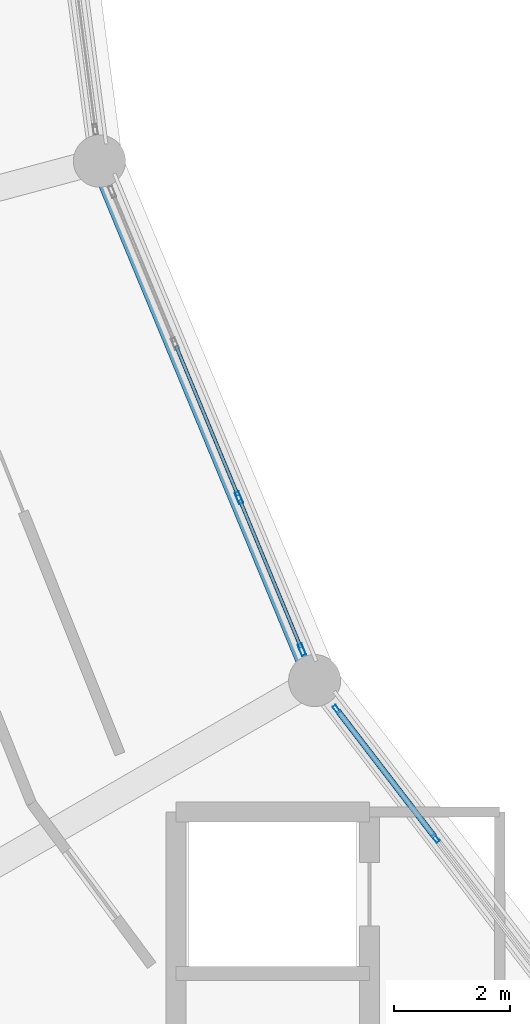
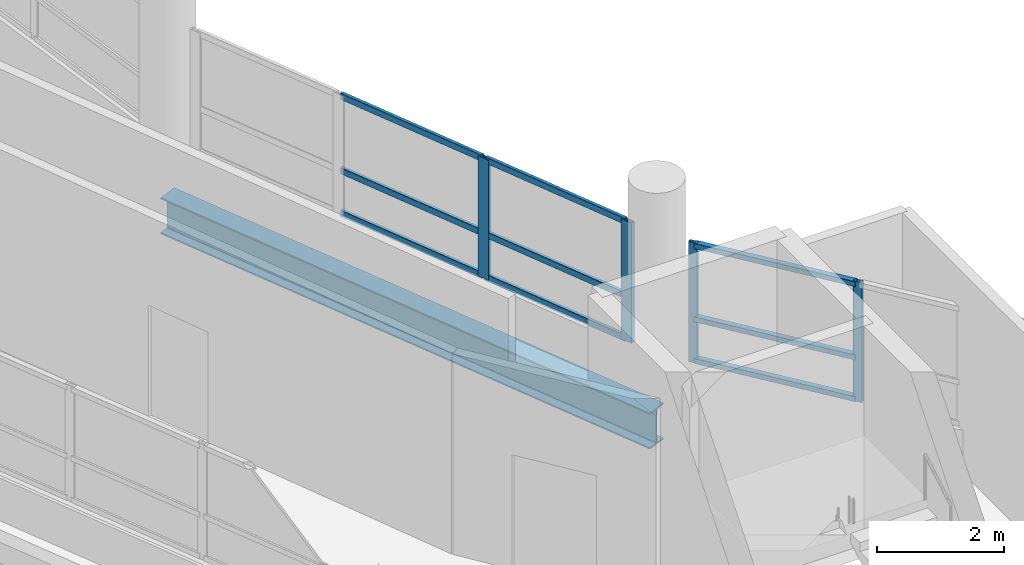
# One storey, part 33 of 128: 13 members, 1 beam, 2 elements without a shape of their own.
"""IFC4 building model written with IfcOpenShell, lengths in metres."""

from ifc_helpers import new_model, si_unit, direction, frame, origin, origin_2d, place, context, subcontext, project, spatial, hollow_rectangle, i_section, extrude, material, layer, layer_set, material_profile, profile_set, type_object, element, aggregate, save


model = new_model("IFC4")

# Units and contexts
model_context = context("Model", 3, precision=1e-05, world=origin(), true_north=direction((0.0, 1.0)))
body_context = subcontext(model_context, "Body", "Model", "MODEL_VIEW")
ifc_project = project(units=[si_unit("LENGTHUNIT", "METRE"), si_unit("AREAUNIT", "SQUARE_METRE"), si_unit("VOLUMEUNIT", "CUBIC_METRE"), si_unit("PLANEANGLEUNIT", "RADIAN"), si_unit("MASSUNIT", "GRAM", prefix="KILO")], contexts=[model_context])

# Site, building, storey
site_placement = place(None, origin())
site = spatial("IfcSite", under=ifc_project, at=site_placement, CompositionType="ELEMENT")
building_placement = place(site_placement, origin())
building = spatial("IfcBuilding", under=site, at=building_placement, Name="Vespera Passage Community Centre", CompositionType="ELEMENT")
storey_placement = place(building_placement, frame((0.0, 0.0, 4.5)))
storey = spatial("IfcBuildingStorey", under=building, at=storey_placement, Name="L01", CompositionType="ELEMENT", Elevation=4.5)

# Beam
ifc_material_1 = material(Name="Steel ASTM A992 Grade 50", Category="steel")
ifc_material_profile_1 = material_profile(ifc_material_1, i_section(OverallWidth=0.3544921875, OverallDepth=0.695556640625, WebThickness=0.015380859375, FlangeThickness=0.024658203125, FilletRadius=0.01513671875, at=origin_2d()), Name="W27X146")
ifc_profile_set_1 = profile_set([ifc_material_profile_1], Name="Steel ASTM A992 Grade 50")
beam_type = type_object("IfcBeamType", Name="BM-SP-W27X146E", PredefinedType="SPANDREL", material=ifc_profile_set_1)
beam_placement = place(storey_placement, frame((42.067626953125, 55.871826171875, -0.587890625), z_axis=(0.382684844258, -0.923878947685, 0.0), x_axis=(0.923878947685, 0.382684844258, 0.0)))
element("IfcBeam", 1, at=beam_placement, inside=storey, type_object=beam_type, Name="V4 L01 Inner Spandrel 13", PredefinedType="SPANDREL", context=body_context, shape_type="SweptSolid", body=[
    extrude(i_section(OverallWidth=0.3544921875, OverallDepth=0.695556640625, WebThickness=0.015380859375, FlangeThickness=0.024658203125, FilletRadius=0.01513671875, at=origin_2d()), origin(), (0.0, 0.0, 1.0), 9.711181640625),
])

# Curtain wall, members
ifc_material_2 = material(Name="Anodized aluminium 6063-T6", Category="aluminium")
ifc_layer_1 = layer(ifc_material_2, 0.159912109375)
ifc_layer_set_1 = layer_set([ifc_layer_1], Name="Anodized aluminium 6063-T6")
curtain_wall_type_1 = type_object("IfcCurtainWallType", Name="CW-17E", PredefinedType="NOTDEFINED", material=ifc_layer_set_1)
curtain_wall_1_placement = place(storey_placement, origin())
curtain_wall_1 = element("IfcCurtainWall", 2, at=curtain_wall_1_placement, inside=storey, type_object=curtain_wall_type_1, Name="V4 L01 Inner Court Curtain Wall 14", PredefinedType="NOTDEFINED")
ifc_material_3 = material(Name="Anodized aluminium 6063-T6", Category="aluminium")
ifc_material_profile_2 = material_profile(ifc_material_3, hollow_rectangle(XDim=0.06494140625, YDim=0.14990234375, WallThickness=0.00390625, InnerFilletRadius=0.001953125, OuterFilletRadius=0.00390625, at=origin_2d()), Name="ALU150X65X4")
ifc_profile_set_2 = profile_set([ifc_material_profile_2], Name="Anodized aluminium 6063-T6")
member_type_1 = type_object("IfcMemberType", Name="MB-CWM-150E", PredefinedType="MULLION", material=ifc_profile_set_2)
member_1_placement = place(storey_placement, frame((46.164794921875, 46.403564453125, 0.820068359375), z_axis=(0.0, 0.0, 1.0), x_axis=(0.793358205999, 0.608755087843, 0.0)))
member_1 = element("IfcMember", 3, at=member_1_placement, type_object=member_type_1, Name="CW-17E mullion 1", PredefinedType="MULLION", context=body_context, shape_type="SweptSolid", body=[
    extrude(hollow_rectangle(XDim=0.06494140625, YDim=0.14990234375, WallThickness=0.00390625, InnerFilletRadius=0.001953125, OuterFilletRadius=0.00390625, at=origin_2d()), origin(), (0.0, 0.0, 1.0), 2.309326171875),
])
member_2_placement = place(storey_placement, frame((47.874755859375, 44.175048828125, 0.820068359375), z_axis=(0.0, 0.0, 1.0), x_axis=(0.793358205999, 0.608755087843, 0.0)))
member_2 = element("IfcMember", 4, at=member_2_placement, type_object=member_type_1, Name="CW-17E mullion 2", PredefinedType="MULLION", context=body_context, shape_type="SweptSolid", body=[
    extrude(hollow_rectangle(XDim=0.06494140625, YDim=0.14990234375, WallThickness=0.00390625, InnerFilletRadius=0.001953125, OuterFilletRadius=0.00390625, at=origin_2d()), origin(), (0.0, 0.0, 1.0), 2.309326171875),
])

ifc_material_4 = material(Name="Anodized aluminium 6063-T6", Category="aluminium")
ifc_layer_2 = layer(ifc_material_4, 0.159912109375)
ifc_layer_set_2 = layer_set([ifc_layer_2], Name="Anodized aluminium 6063-T6")
curtain_wall_type_2 = type_object("IfcCurtainWallType", Name="CW-12E", PredefinedType="NOTDEFINED", material=ifc_layer_set_2)
curtain_wall_2_placement = place(storey_placement, origin())
curtain_wall_2 = element("IfcCurtainWall", 5, at=curtain_wall_2_placement, inside=storey, type_object=curtain_wall_type_2, Name="V4 L01 Inner Court Curtain Wall 13", PredefinedType="NOTDEFINED")
ifc_material_5 = material(Name="Anodized aluminium 6063-T6", Category="aluminium")
ifc_material_profile_3 = material_profile(ifc_material_5, hollow_rectangle(XDim=0.074951171875, YDim=0.2099609375, WallThickness=0.0048828125, InnerFilletRadius=0.00244140625, OuterFilletRadius=0.0048828125, at=origin_2d()), Name="ALU210X75X5")
ifc_profile_set_3 = profile_set([ifc_material_profile_3], Name="Anodized aluminium 6063-T6")
member_type_2 = type_object("IfcMemberType", Name="MB-CWM-210E", PredefinedType="MULLION", material=ifc_profile_set_3)
member_3_placement = place(storey_placement, frame((44.476318359375, 50.056884765625, 0.820068359375), z_axis=(0.0, 0.0, 1.0), x_axis=(0.923876620096, 0.382690463482, 0.0)))
member_3 = element("IfcMember", 6, at=member_3_placement, type_object=member_type_2, Name="CW-12E mullion 3", PredefinedType="MULLION", context=body_context, shape_type="SweptSolid", body=[
    extrude(hollow_rectangle(XDim=0.074951171875, YDim=0.2099609375, WallThickness=0.0048828125, InnerFilletRadius=0.00244140625, OuterFilletRadius=0.0048828125, at=origin_2d()), origin(), (0.0, 0.0, 1.0), 2.309326171875),
])
member_4_placement = place(storey_placement, frame((45.56298828125, 47.433349609375, 0.820068359375), z_axis=(0.0, 0.0, 1.0), x_axis=(0.923876620096, 0.382690463482, 0.0)))
member_4 = element("IfcMember", 7, at=member_4_placement, type_object=member_type_2, Name="CW-12E mullion 4", PredefinedType="MULLION", context=body_context, shape_type="SweptSolid", body=[
    extrude(hollow_rectangle(XDim=0.074951171875, YDim=0.2099609375, WallThickness=0.0048828125, InnerFilletRadius=0.00244140625, OuterFilletRadius=0.0048828125, at=origin_2d()), origin(), (0.0, 0.0, 1.0), 2.309326171875),
])

# Member
ifc_material_6 = material(Name="Anodized aluminium 6063-T6", Category="aluminium")
ifc_material_profile_4 = material_profile(ifc_material_6, hollow_rectangle(XDim=0.10009765625, YDim=0.10009765625, WallThickness=0.00390625, InnerFilletRadius=0.001953125, OuterFilletRadius=0.00390625, at=origin_2d()), Name="ALU100X100X4")
ifc_profile_set_4 = profile_set([ifc_material_profile_4], Name="Anodized aluminium 6063-T6")
member_type_3 = type_object("IfcMemberType", Name="MB-CWT-100E", PredefinedType="USERDEFINED", material=ifc_profile_set_4)
member_5_placement = place(storey_placement, frame((46.1845703125, 46.3779296875, 0.8701171875), z_axis=(0.608704195162, -0.793397254086, 0.0), x_axis=(0.793397254086, 0.608704195162, 0.0)))
member_5 = element("IfcMember", 8, at=member_5_placement, type_object=member_type_3, Name="CW-17E transom 1.1", ObjectType="TRANSOM", PredefinedType="USERDEFINED", context=body_context, shape_type="SweptSolid", body=[
    extrude(hollow_rectangle(XDim=0.10009765625, YDim=0.10009765625, WallThickness=0.00390625, InnerFilletRadius=0.001953125, OuterFilletRadius=0.00390625, at=origin_2d()), origin(), (0.0, 0.0, 1.0), 2.744140625),
])

member_6_placement = place(storey_placement, frame((46.1845703125, 46.3779296875, 1.669921875), z_axis=(0.608704195162, -0.793397254086, 0.0), x_axis=(0.793397254086, 0.608704195162, 0.0)))
member_6 = element("IfcMember", 9, at=member_6_placement, type_object=member_type_3, Name="CW-17E transom 1.2", ObjectType="TRANSOM", PredefinedType="USERDEFINED", context=body_context, shape_type="SweptSolid", body=[
    extrude(hollow_rectangle(XDim=0.10009765625, YDim=0.10009765625, WallThickness=0.00390625, InnerFilletRadius=0.001953125, OuterFilletRadius=0.00390625, at=origin_2d()), origin(), (0.0, 0.0, 1.0), 2.744140625),
])

member_7_placement = place(storey_placement, frame((46.1845703125, 46.3779296875, 3.07958984375), z_axis=(0.608704195162, -0.793397254086, 0.0), x_axis=(0.793397254086, 0.608704195162, 0.0)))
member_7 = element("IfcMember", 10, at=member_7_placement, type_object=member_type_3, Name="CW-17E transom 1.3", ObjectType="TRANSOM", PredefinedType="USERDEFINED", context=body_context, shape_type="SweptSolid", body=[
    extrude(hollow_rectangle(XDim=0.10009765625, YDim=0.10009765625, WallThickness=0.00390625, InnerFilletRadius=0.001953125, OuterFilletRadius=0.00390625, at=origin_2d()), origin(), (0.0, 0.0, 1.0), 2.744140625),
])

aggregate(curtain_wall_1, [member_1, member_2, member_5, member_6, member_7])

ifc_material_7 = material(Name="Anodized aluminium 6063-T6", Category="aluminium")
ifc_material_profile_5 = material_profile(ifc_material_7, hollow_rectangle(XDim=0.06005859375, YDim=0.1201171875, WallThickness=0.00390625, InnerFilletRadius=0.001953125, OuterFilletRadius=0.00390625, at=origin_2d()), Name="ALU120X60X4")
ifc_profile_set_5 = profile_set([ifc_material_profile_5], Name="Anodized aluminium 6063-T6")
member_type_4 = type_object("IfcMemberType", Name="MB-CWT-120E", PredefinedType="USERDEFINED", material=ifc_profile_set_5)
member_8_placement = place(storey_placement, frame((43.3896484375, 52.680419921875, 0.85009765625), z_axis=(0.382659588994, -0.923889408399, 0.0), x_axis=(0.923889408399, 0.382659588994, 0.0)))
member_8 = element("IfcMember", 11, at=member_8_placement, type_object=member_type_4, Name="CW-12E transom 2.1", ObjectType="TRANSOM", PredefinedType="USERDEFINED", context=body_context, shape_type="SweptSolid", body=[
    extrude(hollow_rectangle(XDim=0.06005859375, YDim=0.1201171875, WallThickness=0.00390625, InnerFilletRadius=0.001953125, OuterFilletRadius=0.00390625, at=origin_2d()), origin(), (0.0, 0.0, 1.0), 2.80224609375),
])

member_9_placement = place(storey_placement, frame((43.3896484375, 52.680419921875, 1.669921875), z_axis=(0.382659588994, -0.923889408399, 0.0), x_axis=(0.923889408399, 0.382659588994, 0.0)))
member_9 = element("IfcMember", 12, at=member_9_placement, type_object=member_type_4, Name="CW-12E transom 2.2", ObjectType="TRANSOM", PredefinedType="USERDEFINED", context=body_context, shape_type="SweptSolid", body=[
    extrude(hollow_rectangle(XDim=0.06005859375, YDim=0.1201171875, WallThickness=0.00390625, InnerFilletRadius=0.001953125, OuterFilletRadius=0.00390625, at=origin_2d()), origin(), (0.0, 0.0, 1.0), 2.80224609375),
])

member_10_placement = place(storey_placement, frame((43.3896484375, 52.680419921875, 3.099609375), z_axis=(0.382659588994, -0.923889408399, 0.0), x_axis=(0.923889408399, 0.382659588994, 0.0)))
member_10 = element("IfcMember", 13, at=member_10_placement, type_object=member_type_4, Name="CW-12E transom 2.3", ObjectType="TRANSOM", PredefinedType="USERDEFINED", context=body_context, shape_type="SweptSolid", body=[
    extrude(hollow_rectangle(XDim=0.06005859375, YDim=0.1201171875, WallThickness=0.00390625, InnerFilletRadius=0.001953125, OuterFilletRadius=0.00390625, at=origin_2d()), origin(), (0.0, 0.0, 1.0), 2.80224609375),
])

member_11_placement = place(storey_placement, frame((44.49072265625, 50.022216796875, 0.85009765625), z_axis=(0.382614353701, -0.923908142805, 0.0), x_axis=(0.923908142805, 0.382614353701, 0.0)))
member_11 = element("IfcMember", 14, at=member_11_placement, type_object=member_type_4, Name="CW-12E transom 3.1", ObjectType="TRANSOM", PredefinedType="USERDEFINED", context=body_context, shape_type="SweptSolid", body=[
    extrude(hollow_rectangle(XDim=0.06005859375, YDim=0.1201171875, WallThickness=0.00390625, InnerFilletRadius=0.001953125, OuterFilletRadius=0.00390625, at=origin_2d()), origin(), (0.0, 0.0, 1.0), 2.764892578125),
])

member_12_placement = place(storey_placement, frame((44.49072265625, 50.022216796875, 1.669921875), z_axis=(0.382614353701, -0.923908142805, 0.0), x_axis=(0.923908142805, 0.382614353701, 0.0)))
member_12 = element("IfcMember", 15, at=member_12_placement, type_object=member_type_4, Name="CW-12E transom 3.2", ObjectType="TRANSOM", PredefinedType="USERDEFINED", context=body_context, shape_type="SweptSolid", body=[
    extrude(hollow_rectangle(XDim=0.06005859375, YDim=0.1201171875, WallThickness=0.00390625, InnerFilletRadius=0.001953125, OuterFilletRadius=0.00390625, at=origin_2d()), origin(), (0.0, 0.0, 1.0), 2.764892578125),
])

member_13_placement = place(storey_placement, frame((44.49072265625, 50.022216796875, 3.099609375), z_axis=(0.382614353701, -0.923908142805, 0.0), x_axis=(0.923908142805, 0.382614353701, 0.0)))
member_13 = element("IfcMember", 16, at=member_13_placement, type_object=member_type_4, Name="CW-12E transom 3.3", ObjectType="TRANSOM", PredefinedType="USERDEFINED", context=body_context, shape_type="SweptSolid", body=[
    extrude(hollow_rectangle(XDim=0.06005859375, YDim=0.1201171875, WallThickness=0.00390625, InnerFilletRadius=0.001953125, OuterFilletRadius=0.00390625, at=origin_2d()), origin(), (0.0, 0.0, 1.0), 2.764892578125),
])

aggregate(curtain_wall_2, [member_3, member_4, member_8, member_9, member_10, member_11, member_12, member_13])

save(model, "model.ifc")
